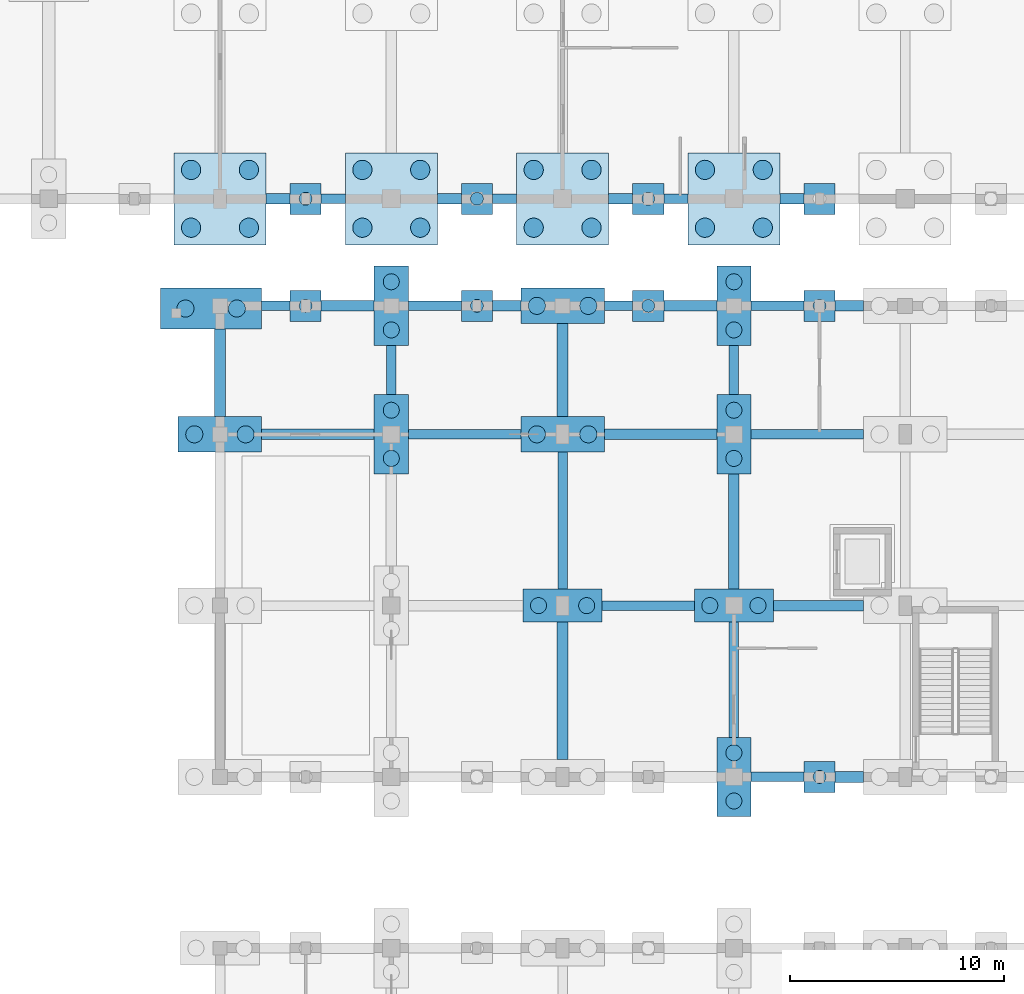
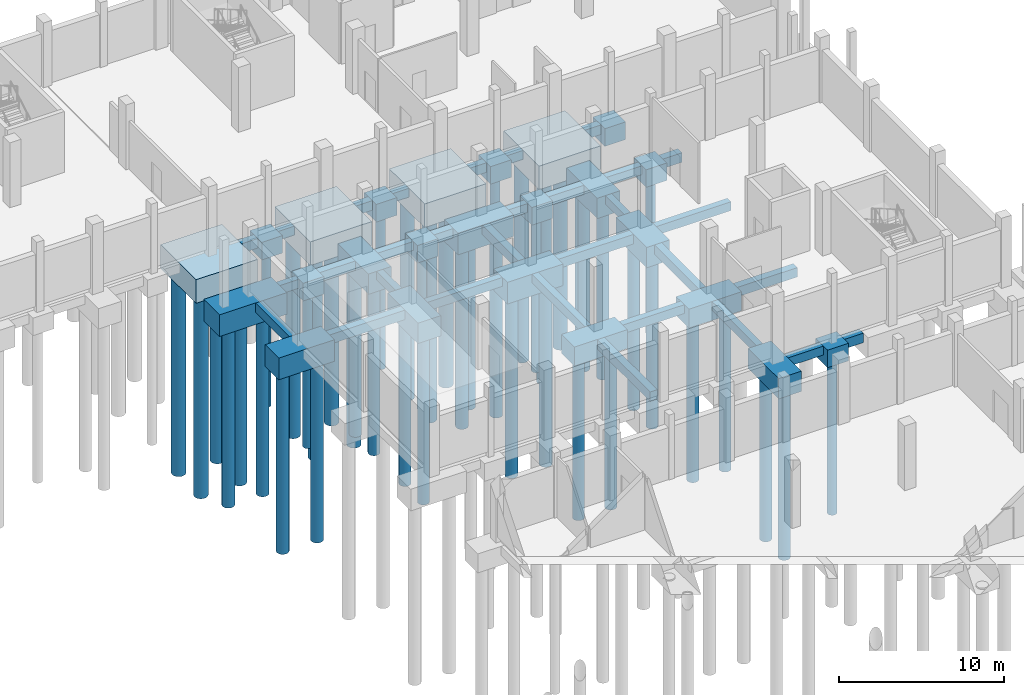
# One storey, part 12 of 52: 55 footings, 46 piles.
"""IFC4 building model written with IfcOpenShell, lengths in metres."""

from ifc_helpers import new_model, si_unit, direction, frame, origin, origin_2d, place, context, subcontext, project, spatial, polyline, rectangle, circle, outline, extrude, material, material_profile, profile_set, type_object, element, save


model = new_model("IFC4")

# Units and contexts
model_context = context("Model", 3, precision=1e-05, world=origin(), true_north=direction((0.0, 1.0)))
body_context = subcontext(model_context, "Body", "Model", "MODEL_VIEW")
ifc_project = project(units=[si_unit("LENGTHUNIT", "METRE"), si_unit("AREAUNIT", "SQUARE_METRE"), si_unit("VOLUMEUNIT", "CUBIC_METRE"), si_unit("PLANEANGLEUNIT", "RADIAN"), si_unit("MASSUNIT", "GRAM", prefix="KILO")], contexts=[model_context])

# Site, building, storey
site_placement = place(None, origin())
site = spatial("IfcSite", under=ifc_project, at=site_placement, CompositionType="ELEMENT")
building_placement = place(site_placement, origin())
building = spatial("IfcBuilding", under=site, at=building_placement, Name="Luwemba Playhouse", CompositionType="ELEMENT")
storey_placement = place(building_placement, frame((0.0, 0.0, -4.800048828125)))
storey = spatial("IfcBuildingStorey", under=building, at=storey_placement, Name="B1", CompositionType="ELEMENT", Elevation=-4.800048828125)

# Footings
ifc_material = material(Name="Concrete C32/40", Category="concrete")
ifc_material_profile_1 = material_profile(ifc_material, rectangle(XDim=0.449951171875, YDim=0.64990234375, at=origin_2d()))
ifc_profile_set_1 = profile_set([ifc_material_profile_1], Name="Concrete C32/40")
footing_type_1 = type_object("IfcFootingType", Name="FTBM-GB1", PredefinedType="FOOTING_BEAM", material=ifc_profile_set_1)
footing_1_placement = place(storey_placement, frame((156.800048828125, 68.0, -0.704833984375), z_axis=(1.0, 0.0, 0.0), x_axis=(0.0, 1.0, 0.0)))
element("IfcFooting", 1, at=footing_1_placement, inside=storey, type_object=footing_type_1, Name="Ground tie-beam 149", PredefinedType="FOOTING_BEAM", context=body_context, shape_type="SweptSolid", body=[
    extrude(rectangle(XDim=0.449951171875, YDim=0.64990234375, at=origin_2d()), origin(), (0.0, 0.0, 1.0), 2.474853515625),
])
footing_2_placement = place(storey_placement, frame((149.85009765625, 76.0, -0.704833984375), z_axis=(1.0, 0.0, 0.0), x_axis=(0.0, 1.0, 0.0)))
element("IfcFooting", 2, at=footing_2_placement, inside=storey, type_object=footing_type_1, Name="Ground tie-beam 157", PredefinedType="FOOTING_BEAM", context=body_context, shape_type="SweptSolid", body=[
    extrude(rectangle(XDim=0.449951171875, YDim=0.64990234375, at=origin_2d()), origin(), (0.0, 0.0, 1.0), 4.2998046875),
])
for number, where, z_axis, x_axis, name in (
    (3, (140.800048828125, 84.0, -0.704833984375), (1.0, 0.0, 0.0), (0.0, 1.0, 0.0), "Ground tie-beam 167"),
    (4, (156.800048828125, 84.0, -0.704833984375), (1.0, 0.0, 0.0), (0.0, 1.0, 0.0), "Ground tie-beam 169"),
):
    element("IfcFooting", number, at=place(storey_placement, frame(where, z_axis=z_axis, x_axis=x_axis)), inside=storey, type_object=footing_type_1, Name=name, PredefinedType="FOOTING_BEAM", context=body_context, shape_type="SweptSolid", body=[
        extrude(rectangle(XDim=0.449951171875, YDim=0.64990234375, at=origin_2d()), origin(), (0.0, 0.0, 1.0), 5.25),
    ])
footing_3_placement = place(storey_placement, frame((133.949951171875, 90.0, -0.704833984375), z_axis=(1.0, 0.0, 0.0), x_axis=(0.0, 1.0, 0.0)))
element("IfcFooting", 5, at=footing_3_placement, inside=storey, type_object=footing_type_1, Name="Ground tie-beam 181", PredefinedType="FOOTING_BEAM", context=body_context, shape_type="SweptSolid", body=[
    extrude(rectangle(XDim=0.449951171875, YDim=0.64990234375, at=origin_2d()), origin(), (0.0, 0.0, 1.0), 1.324951171875),
])
footing_4_placement = place(storey_placement, frame((140.800048828125, 90.0, -0.704833984375), z_axis=(1.0, 0.0, 0.0), x_axis=(0.0, 1.0, 0.0)))
element("IfcFooting", 6, at=footing_4_placement, inside=storey, type_object=footing_type_1, Name="Ground tie-beam 183", PredefinedType="FOOTING_BEAM", context=body_context, shape_type="SweptSolid", body=[
    extrude(rectangle(XDim=0.449951171875, YDim=0.64990234375, at=origin_2d()), origin(), (0.0, 0.0, 1.0), 2.474853515625),
])
footing_5_placement = place(storey_placement, frame((149.949951171875, 90.0, -0.704833984375), z_axis=(1.0, 0.0, 0.0), x_axis=(0.0, 1.0, 0.0)))
element("IfcFooting", 7, at=footing_5_placement, inside=storey, type_object=footing_type_1, Name="Ground tie-beam 185", PredefinedType="FOOTING_BEAM", context=body_context, shape_type="SweptSolid", body=[
    extrude(rectangle(XDim=0.449951171875, YDim=0.64990234375, at=origin_2d()), origin(), (0.0, 0.0, 1.0), 1.324951171875),
])
footing_6_placement = place(storey_placement, frame((156.800048828125, 90.0, -0.704833984375), z_axis=(1.0, 0.0, 0.0), x_axis=(0.0, 1.0, 0.0)))
element("IfcFooting", 8, at=footing_6_placement, inside=storey, type_object=footing_type_1, Name="Ground tie-beam 187", PredefinedType="FOOTING_BEAM", context=body_context, shape_type="SweptSolid", body=[
    extrude(rectangle(XDim=0.449951171875, YDim=0.64990234375, at=origin_2d()), origin(), (0.0, 0.0, 1.0), 2.474853515625),
])
for number, where, z_axis, x_axis, name in (
    (9, (136.72509765625, 95.0, -0.704833984375), (1.0, 0.0, 0.0), (0.0, 1.0, 0.0), "Ground tie-beam 209"),
    (10, (144.72509765625, 95.0, -0.704833984375), (1.0, 0.0, 0.0), (0.0, 1.0, 0.0), "Ground tie-beam 211"),
    (11, (152.72509765625, 95.0, -0.704833984375), (1.0, 0.0, 0.0), (0.0, 1.0, 0.0), "Ground tie-beam 213"),
):
    element("IfcFooting", number, at=place(storey_placement, frame(where, z_axis=z_axis, x_axis=x_axis)), inside=storey, type_object=footing_type_1, Name=name, PredefinedType="FOOTING_BEAM", context=body_context, shape_type="SweptSolid", body=[
        extrude(rectangle(XDim=0.449951171875, YDim=0.64990234375, at=origin_2d()), origin(), (0.0, 0.0, 1.0), 1.125),
    ])
footing_7_placement = place(storey_placement, frame((140.0, 85.85009765625, -0.704833984375), z_axis=(0.0, 1.0, 0.0), x_axis=(-1.0, 0.0, 0.0)))
element("IfcFooting", 12, at=footing_7_placement, inside=storey, type_object=footing_type_1, Name="Ground tie-beam 381", PredefinedType="FOOTING_BEAM", context=body_context, shape_type="SweptSolid", body=[
    extrude(rectangle(XDim=0.449951171875, YDim=0.64990234375, at=origin_2d()), origin(), (0.0, 0.0, 1.0), 2.2998046875),
])
footing_8_placement = place(storey_placement, frame((148.0, 76.77490234375, -0.704833984375), z_axis=(0.0, 1.0, 0.0), x_axis=(-1.0, 0.0, 0.0)))
element("IfcFooting", 13, at=footing_8_placement, inside=storey, type_object=footing_type_1, Name="Ground tie-beam 391", PredefinedType="FOOTING_BEAM", context=body_context, shape_type="SweptSolid", body=[
    extrude(rectangle(XDim=0.449951171875, YDim=0.64990234375, at=origin_2d()), origin(), (0.0, 0.0, 1.0), 6.400146484375),
])
footing_9_placement = place(storey_placement, frame((156.0, 69.85009765625, -0.704833984375), z_axis=(0.0, 1.0, 0.0), x_axis=(-1.0, 0.0, 0.0)))
element("IfcFooting", 14, at=footing_9_placement, inside=storey, type_object=footing_type_1, Name="Ground tie-beam 401", PredefinedType="FOOTING_BEAM", context=body_context, shape_type="SweptSolid", body=[
    extrude(rectangle(XDim=0.449951171875, YDim=0.64990234375, at=origin_2d()), origin(), (0.0, 0.0, 1.0), 5.375),
])
footing_10_placement = place(storey_placement, frame((156.0, 85.85009765625, -0.704833984375), z_axis=(0.0, 1.0, 0.0), x_axis=(-1.0, 0.0, 0.0)))
element("IfcFooting", 15, at=footing_10_placement, inside=storey, type_object=footing_type_1, Name="Ground tie-beam 403", PredefinedType="FOOTING_BEAM", context=body_context, shape_type="SweptSolid", body=[
    extrude(rectangle(XDim=0.449951171875, YDim=0.64990234375, at=origin_2d()), origin(), (0.0, 0.0, 1.0), 2.2998046875),
])
ifc_material_profile_2 = material_profile(ifc_material, rectangle(XDim=0.5, YDim=0.699951171875, at=origin_2d()))
ifc_profile_set_2 = profile_set([ifc_material_profile_2], Name="Concrete C32/40")
footing_type_2 = type_object("IfcFootingType", Name="FTBM-GB2", PredefinedType="FOOTING_BEAM", material=ifc_profile_set_2)
footing_11_placement = place(storey_placement, frame((160.72509765625, 68.0, -0.72998046875), z_axis=(1.0, 0.0, 0.0), x_axis=(0.0, 1.0, 0.0)))
element("IfcFooting", 16, at=footing_11_placement, inside=storey, type_object=footing_type_2, Name="Ground tie-beam 150", PredefinedType="FOOTING_BEAM", context=body_context, shape_type="SweptSolid", body=[
    extrude(rectangle(XDim=0.5, YDim=0.699951171875, at=origin_2d()), origin(), (0.0, 0.0, 1.0), 1.324951171875),
])
footing_12_placement = place(storey_placement, frame((157.85009765625, 76.0, -0.72998046875), z_axis=(1.0, 0.0, 0.0), x_axis=(0.0, 1.0, 0.0)))
element("IfcFooting", 17, at=footing_12_placement, inside=storey, type_object=footing_type_2, Name="Ground tie-beam 158", PredefinedType="FOOTING_BEAM", context=body_context, shape_type="SweptSolid", body=[
    extrude(rectangle(XDim=0.5, YDim=0.699951171875, at=origin_2d()), origin(), (0.0, 0.0, 1.0), 4.199951171875),
])
for number, where, z_axis, x_axis, name in (
    (18, (133.949951171875, 84.0, -0.72998046875), (1.0, 0.0, 0.0), (0.0, 1.0, 0.0), "Ground tie-beam 166"),
    (19, (149.949951171875, 84.0, -0.72998046875), (1.0, 0.0, 0.0), (0.0, 1.0, 0.0), "Ground tie-beam 168"),
):
    element("IfcFooting", number, at=place(storey_placement, frame(where, z_axis=z_axis, x_axis=x_axis)), inside=storey, type_object=footing_type_2, Name=name, PredefinedType="FOOTING_BEAM", context=body_context, shape_type="SweptSolid", body=[
        extrude(rectangle(XDim=0.5, YDim=0.699951171875, at=origin_2d()), origin(), (0.0, 0.0, 1.0), 5.25),
    ])
footing_13_placement = place(storey_placement, frame((136.72509765625, 90.0, -0.72998046875), z_axis=(1.0, 0.0, 0.0), x_axis=(0.0, 1.0, 0.0)))
element("IfcFooting", 20, at=footing_13_placement, inside=storey, type_object=footing_type_2, Name="Ground tie-beam 182", PredefinedType="FOOTING_BEAM", context=body_context, shape_type="SweptSolid", body=[
    extrude(rectangle(XDim=0.5, YDim=0.699951171875, at=origin_2d()), origin(), (0.0, 0.0, 1.0), 2.474853515625),
])
footing_14_placement = place(storey_placement, frame((144.72509765625, 90.0, -0.72998046875), z_axis=(1.0, 0.0, 0.0), x_axis=(0.0, 1.0, 0.0)))
element("IfcFooting", 21, at=footing_14_placement, inside=storey, type_object=footing_type_2, Name="Ground tie-beam 184", PredefinedType="FOOTING_BEAM", context=body_context, shape_type="SweptSolid", body=[
    extrude(rectangle(XDim=0.5, YDim=0.699951171875, at=origin_2d()), origin(), (0.0, 0.0, 1.0), 1.324951171875),
])
footing_15_placement = place(storey_placement, frame((152.72509765625, 90.0, -0.72998046875), z_axis=(1.0, 0.0, 0.0), x_axis=(0.0, 1.0, 0.0)))
element("IfcFooting", 22, at=footing_15_placement, inside=storey, type_object=footing_type_2, Name="Ground tie-beam 186", PredefinedType="FOOTING_BEAM", context=body_context, shape_type="SweptSolid", body=[
    extrude(rectangle(XDim=0.5, YDim=0.699951171875, at=origin_2d()), origin(), (0.0, 0.0, 1.0), 2.474853515625),
])
footing_16_placement = place(storey_placement, frame((160.72509765625, 90.0, -0.72998046875), z_axis=(1.0, 0.0, 0.0), x_axis=(0.0, 1.0, 0.0)))
element("IfcFooting", 23, at=footing_16_placement, inside=storey, type_object=footing_type_2, Name="Ground tie-beam 188", PredefinedType="FOOTING_BEAM", context=body_context, shape_type="SweptSolid", body=[
    extrude(rectangle(XDim=0.5, YDim=0.699951171875, at=origin_2d()), origin(), (0.0, 0.0, 1.0), 1.324951171875),
])
for number, where, z_axis, x_axis, name in (
    (24, (134.14990234375, 95.0, -0.72998046875), (1.0, 0.0, 0.0), (0.0, 1.0, 0.0), "Ground tie-beam 208"),
    (25, (142.14990234375, 95.0, -0.72998046875), (1.0, 0.0, 0.0), (0.0, 1.0, 0.0), "Ground tie-beam 210"),
    (26, (150.14990234375, 95.0, -0.72998046875), (1.0, 0.0, 0.0), (0.0, 1.0, 0.0), "Ground tie-beam 212"),
    (27, (158.14990234375, 95.0, -0.72998046875), (1.0, 0.0, 0.0), (0.0, 1.0, 0.0), "Ground tie-beam 214"),
):
    element("IfcFooting", number, at=place(storey_placement, frame(where, z_axis=z_axis, x_axis=x_axis)), inside=storey, type_object=footing_type_2, Name=name, PredefinedType="FOOTING_BEAM", context=body_context, shape_type="SweptSolid", body=[
        extrude(rectangle(XDim=0.5, YDim=0.699951171875, at=origin_2d()), origin(), (0.0, 0.0, 1.0), 1.125),
    ])
footing_17_placement = place(storey_placement, frame((132.0, 84.824951171875, -0.72998046875), z_axis=(0.0, 1.0, 0.0), x_axis=(-1.0, 0.0, 0.0)))
element("IfcFooting", 28, at=footing_17_placement, inside=storey, type_object=footing_type_2, Name="Ground tie-beam 370", PredefinedType="FOOTING_BEAM", context=body_context, shape_type="SweptSolid", body=[
    extrude(rectangle(XDim=0.5, YDim=0.699951171875, at=origin_2d()), origin(), (0.0, 0.0, 1.0), 4.10009765625),
])
footing_18_placement = place(storey_placement, frame((148.0, 68.824951171875, -0.72998046875), z_axis=(0.0, 1.0, 0.0), x_axis=(-1.0, 0.0, 0.0)))
element("IfcFooting", 29, at=footing_18_placement, inside=storey, type_object=footing_type_2, Name="Ground tie-beam 390", PredefinedType="FOOTING_BEAM", context=body_context, shape_type="SweptSolid", body=[
    extrude(rectangle(XDim=0.5, YDim=0.699951171875, at=origin_2d()), origin(), (0.0, 0.0, 1.0), 6.400146484375),
])
footing_19_placement = place(storey_placement, frame((148.0, 84.824951171875, -0.72998046875), z_axis=(0.0, 1.0, 0.0), x_axis=(-1.0, 0.0, 0.0)))
element("IfcFooting", 30, at=footing_19_placement, inside=storey, type_object=footing_type_2, Name="Ground tie-beam 392", PredefinedType="FOOTING_BEAM", context=body_context, shape_type="SweptSolid", body=[
    extrude(rectangle(XDim=0.5, YDim=0.699951171875, at=origin_2d()), origin(), (0.0, 0.0, 1.0), 4.35009765625),
])
footing_20_placement = place(storey_placement, frame((156.0, 76.77490234375, -0.72998046875), z_axis=(0.0, 1.0, 0.0), x_axis=(-1.0, 0.0, 0.0)))
element("IfcFooting", 31, at=footing_20_placement, inside=storey, type_object=footing_type_2, Name="Ground tie-beam 402", PredefinedType="FOOTING_BEAM", context=body_context, shape_type="SweptSolid", body=[
    extrude(rectangle(XDim=0.5, YDim=0.699951171875, at=origin_2d()), origin(), (0.0, 0.0, 1.0), 5.375),
])
footing_type_3 = type_object("IfcFootingType", Name="FTG-PC02", PredefinedType="PILE_CAP", material=ifc_material)
footing_21_placement = place(storey_placement, frame((0.0, 0.0, -1.679931640625)))
element("IfcFooting", 32, at=footing_21_placement, inside=storey, type_object=footing_type_3, Name="Pile cap 207", PredefinedType="PILE_CAP", context=body_context, shape_type="SweptSolid", body=[
    extrude(outline(polyline([(159.27490234375, 67.27490234375), (160.72509765625, 67.27490234375), (160.72509765625, 68.72509765625), (159.27490234375, 68.72509765625), (159.27490234375, 67.27490234375)])), origin(), (0.0, 0.0, 1.0), 1.300048828125),
])
footing_22_placement = place(storey_placement, frame((0.0, 0.0, -1.679931640625)))
element("IfcFooting", 33, at=footing_22_placement, inside=storey, type_object=footing_type_3, Name="Pile cap 251", PredefinedType="PILE_CAP", context=body_context, shape_type="SweptSolid", body=[
    extrude(outline(polyline([(135.27490234375, 89.27490234375), (136.72509765625, 89.27490234375), (136.72509765625, 90.72509765625), (135.27490234375, 90.72509765625), (135.27490234375, 89.27490234375)])), origin(), (0.0, 0.0, 1.0), 1.300048828125),
])
footing_23_placement = place(storey_placement, frame((0.0, 0.0, -1.679931640625)))
element("IfcFooting", 34, at=footing_23_placement, inside=storey, type_object=footing_type_3, Name="Pile cap 252", PredefinedType="PILE_CAP", context=body_context, shape_type="SweptSolid", body=[
    extrude(outline(polyline([(143.27490234375, 89.27490234375), (144.72509765625, 89.27490234375), (144.72509765625, 90.72509765625), (143.27490234375, 90.72509765625), (143.27490234375, 89.27490234375)])), origin(), (0.0, 0.0, 1.0), 1.300048828125),
])
footing_24_placement = place(storey_placement, frame((0.0, 0.0, -1.679931640625)))
element("IfcFooting", 35, at=footing_24_placement, inside=storey, type_object=footing_type_3, Name="Pile cap 253", PredefinedType="PILE_CAP", context=body_context, shape_type="SweptSolid", body=[
    extrude(outline(polyline([(151.27490234375, 89.27490234375), (152.72509765625, 89.27490234375), (152.72509765625, 90.72509765625), (151.27490234375, 90.72509765625), (151.27490234375, 89.27490234375)])), origin(), (0.0, 0.0, 1.0), 1.300048828125),
])
footing_25_placement = place(storey_placement, frame((0.0, 0.0, -1.679931640625)))
element("IfcFooting", 36, at=footing_25_placement, inside=storey, type_object=footing_type_3, Name="Pile cap 254", PredefinedType="PILE_CAP", context=body_context, shape_type="SweptSolid", body=[
    extrude(outline(polyline([(159.27490234375, 89.27490234375), (160.72509765625, 89.27490234375), (160.72509765625, 90.72509765625), (159.27490234375, 90.72509765625), (159.27490234375, 89.27490234375)])), origin(), (0.0, 0.0, 1.0), 1.300048828125),
])
footing_26_placement = place(storey_placement, frame((0.0, 0.0, -1.679931640625)))
element("IfcFooting", 37, at=footing_26_placement, inside=storey, type_object=footing_type_3, Name="Pile cap 281", PredefinedType="PILE_CAP", context=body_context, shape_type="SweptSolid", body=[
    extrude(outline(polyline([(135.27490234375, 94.27490234375), (136.72509765625, 94.27490234375), (136.72509765625, 95.72509765625), (135.27490234375, 95.72509765625), (135.27490234375, 94.27490234375)])), origin(), (0.0, 0.0, 1.0), 1.300048828125),
])
footing_27_placement = place(storey_placement, frame((0.0, 0.0, -1.679931640625)))
element("IfcFooting", 38, at=footing_27_placement, inside=storey, type_object=footing_type_3, Name="Pile cap 282", PredefinedType="PILE_CAP", context=body_context, shape_type="SweptSolid", body=[
    extrude(outline(polyline([(143.27490234375, 94.27490234375), (144.72509765625, 94.27490234375), (144.72509765625, 95.72509765625), (143.27490234375, 95.72509765625), (143.27490234375, 94.27490234375)])), origin(), (0.0, 0.0, 1.0), 1.300048828125),
])
footing_28_placement = place(storey_placement, frame((0.0, 0.0, -1.679931640625)))
element("IfcFooting", 39, at=footing_28_placement, inside=storey, type_object=footing_type_3, Name="Pile cap 283", PredefinedType="PILE_CAP", context=body_context, shape_type="SweptSolid", body=[
    extrude(outline(polyline([(151.27490234375, 94.27490234375), (152.72509765625, 94.27490234375), (152.72509765625, 95.72509765625), (151.27490234375, 95.72509765625), (151.27490234375, 94.27490234375)])), origin(), (0.0, 0.0, 1.0), 1.300048828125),
])
footing_29_placement = place(storey_placement, frame((0.0, 0.0, -1.679931640625)))
element("IfcFooting", 40, at=footing_29_placement, inside=storey, type_object=footing_type_3, Name="Pile cap 284", PredefinedType="PILE_CAP", context=body_context, shape_type="SweptSolid", body=[
    extrude(outline(polyline([(159.27490234375, 94.27490234375), (160.72509765625, 94.27490234375), (160.72509765625, 95.72509765625), (159.27490234375, 95.72509765625), (159.27490234375, 94.27490234375)])), origin(), (0.0, 0.0, 1.0), 1.300048828125),
])
footing_type_4 = type_object("IfcFootingType", Name="FTG-PC03", PredefinedType="PILE_CAP", material=ifc_material)
footing_30_placement = place(storey_placement, frame((0.0, 0.0, -1.8798828125)))
element("IfcFooting", 41, at=footing_30_placement, inside=storey, type_object=footing_type_4, Name="Pile cap 197", PredefinedType="PILE_CAP", context=body_context, shape_type="SweptSolid", body=[
    extrude(outline(polyline([(155.199951171875, 66.14990234375), (156.800048828125, 66.14990234375), (156.800048828125, 69.85009765625), (155.199951171875, 69.85009765625), (155.199951171875, 66.14990234375)])), origin(), (0.0, 0.0, 1.0), 1.5),
])
footing_31_placement = place(storey_placement, frame((0.0, 0.0, -1.8798828125)))
element("IfcFooting", 42, at=footing_31_placement, inside=storey, type_object=footing_type_4, Name="Pile cap 225", PredefinedType="PILE_CAP", context=body_context, shape_type="SweptSolid", body=[
    extrude(outline(polyline([(139.199951171875, 82.14990234375), (140.800048828125, 82.14990234375), (140.800048828125, 85.85009765625), (139.199951171875, 85.85009765625), (139.199951171875, 82.14990234375)])), origin(), (0.0, 0.0, 1.0), 1.5),
])
footing_32_placement = place(storey_placement, frame((0.0, 0.0, -1.8798828125)))
element("IfcFooting", 43, at=footing_32_placement, inside=storey, type_object=footing_type_4, Name="Pile cap 226", PredefinedType="PILE_CAP", context=body_context, shape_type="SweptSolid", body=[
    extrude(outline(polyline([(155.199951171875, 82.14990234375), (156.800048828125, 82.14990234375), (156.800048828125, 85.85009765625), (155.199951171875, 85.85009765625), (155.199951171875, 82.14990234375)])), origin(), (0.0, 0.0, 1.0), 1.5),
])
footing_33_placement = place(storey_placement, frame((0.0, 0.0, -1.8798828125)))
element("IfcFooting", 44, at=footing_33_placement, inside=storey, type_object=footing_type_4, Name="Pile cap 238", PredefinedType="PILE_CAP", context=body_context, shape_type="SweptSolid", body=[
    extrude(outline(polyline([(139.199951171875, 88.14990234375), (140.800048828125, 88.14990234375), (140.800048828125, 91.85009765625), (139.199951171875, 91.85009765625), (139.199951171875, 88.14990234375)])), origin(), (0.0, 0.0, 1.0), 1.5),
])
footing_34_placement = place(storey_placement, frame((0.0, 0.0, -1.8798828125)))
element("IfcFooting", 45, at=footing_34_placement, inside=storey, type_object=footing_type_4, Name="Pile cap 239", PredefinedType="PILE_CAP", context=body_context, shape_type="SweptSolid", body=[
    extrude(outline(polyline([(155.199951171875, 88.14990234375), (156.800048828125, 88.14990234375), (156.800048828125, 91.85009765625), (155.199951171875, 91.85009765625), (155.199951171875, 88.14990234375)])), origin(), (0.0, 0.0, 1.0), 1.5),
])
footing_type_5 = type_object("IfcFootingType", Name="FTG-PC04", PredefinedType="PILE_CAP", material=ifc_material)
footing_35_placement = place(storey_placement, frame((0.0, 0.0, -1.97998046875)))
element("IfcFooting", 46, at=footing_35_placement, inside=storey, type_object=footing_type_5, Name="Pile cap 230", PredefinedType="PILE_CAP", context=body_context, shape_type="SweptSolid", body=[
    extrude(outline(polyline([(130.050048828125, 83.175048828125), (133.949951171875, 83.175048828125), (133.949951171875, 84.824951171875), (130.050048828125, 84.824951171875), (130.050048828125, 83.175048828125)])), origin(), (0.0, 0.0, 1.0), 1.60009765625),
])
footing_36_placement = place(storey_placement, frame((0.0, 0.0, -1.97998046875)))
element("IfcFooting", 47, at=footing_36_placement, inside=storey, type_object=footing_type_5, Name="Pile cap 231", PredefinedType="PILE_CAP", context=body_context, shape_type="SweptSolid", body=[
    extrude(outline(polyline([(146.050048828125, 83.175048828125), (149.949951171875, 83.175048828125), (149.949951171875, 84.824951171875), (146.050048828125, 84.824951171875), (146.050048828125, 83.175048828125)])), origin(), (0.0, 0.0, 1.0), 1.60009765625),
])
footing_37_placement = place(storey_placement, frame((0.0, 0.0, -1.97998046875)))
element("IfcFooting", 48, at=footing_37_placement, inside=storey, type_object=footing_type_5, Name="Pile cap 245", PredefinedType="PILE_CAP", context=body_context, shape_type="SweptSolid", body=[
    extrude(outline(polyline([(146.050048828125, 89.175048828125), (149.949951171875, 89.175048828125), (149.949951171875, 90.824951171875), (146.050048828125, 90.824951171875), (146.050048828125, 89.175048828125)])), origin(), (0.0, 0.0, 1.0), 1.60009765625),
])
footing_type_6 = type_object("IfcFootingType", Name="FTG-PC05", PredefinedType="PILE_CAP", material=ifc_material)
footing_38_placement = place(storey_placement, frame((0.0, 0.0, -1.780029296875)))
element("IfcFooting", 49, at=footing_38_placement, inside=storey, type_object=footing_type_6, Name="Pile cap 218", PredefinedType="PILE_CAP", context=body_context, shape_type="SweptSolid", body=[
    extrude(outline(polyline([(146.14990234375, 75.22509765625), (149.85009765625, 75.22509765625), (149.85009765625, 76.77490234375), (146.14990234375, 76.77490234375), (146.14990234375, 75.22509765625)])), origin(), (0.0, 0.0, 1.0), 1.400146484375),
])
footing_39_placement = place(storey_placement, frame((0.0, 0.0, -1.780029296875)))
element("IfcFooting", 50, at=footing_39_placement, inside=storey, type_object=footing_type_6, Name="Pile cap 219", PredefinedType="PILE_CAP", context=body_context, shape_type="SweptSolid", body=[
    extrude(outline(polyline([(154.14990234375, 75.22509765625), (157.85009765625, 75.22509765625), (157.85009765625, 76.77490234375), (154.14990234375, 76.77490234375), (154.14990234375, 75.22509765625)])), origin(), (0.0, 0.0, 1.0), 1.400146484375),
])
footing_type_7 = type_object("IfcFootingType", Name="FTG-PC21", PredefinedType="PILE_CAP", material=ifc_material)
footing_40_placement = place(storey_placement, frame((0.0, 0.0, -2.1298828125)))
element("IfcFooting", 51, at=footing_40_placement, inside=storey, type_object=footing_type_7, Name="Pile cap 258", PredefinedType="PILE_CAP", context=body_context, shape_type="SweptSolid", body=[
    extrude(outline(polyline([(129.85009765625, 92.85009765625), (134.14990234375, 92.85009765625), (134.14990234375, 97.14990234375), (129.85009765625, 97.14990234375), (129.85009765625, 92.85009765625)])), origin(), (0.0, 0.0, 1.0), 1.75),
])
footing_41_placement = place(storey_placement, frame((0.0, 0.0, -2.1298828125)))
element("IfcFooting", 52, at=footing_41_placement, inside=storey, type_object=footing_type_7, Name="Pile cap 259", PredefinedType="PILE_CAP", context=body_context, shape_type="SweptSolid", body=[
    extrude(outline(polyline([(137.85009765625, 92.85009765625), (142.14990234375, 92.85009765625), (142.14990234375, 97.14990234375), (137.85009765625, 97.14990234375), (137.85009765625, 92.85009765625)])), origin(), (0.0, 0.0, 1.0), 1.75),
])
footing_42_placement = place(storey_placement, frame((0.0, 0.0, -2.1298828125)))
element("IfcFooting", 53, at=footing_42_placement, inside=storey, type_object=footing_type_7, Name="Pile cap 260", PredefinedType="PILE_CAP", context=body_context, shape_type="SweptSolid", body=[
    extrude(outline(polyline([(145.85009765625, 92.85009765625), (150.14990234375, 92.85009765625), (150.14990234375, 97.14990234375), (145.85009765625, 97.14990234375), (145.85009765625, 92.85009765625)])), origin(), (0.0, 0.0, 1.0), 1.75),
])
footing_43_placement = place(storey_placement, frame((0.0, 0.0, -2.1298828125)))
element("IfcFooting", 54, at=footing_43_placement, inside=storey, type_object=footing_type_7, Name="Pile cap 261", PredefinedType="PILE_CAP", context=body_context, shape_type="SweptSolid", body=[
    extrude(outline(polyline([(153.85009765625, 92.85009765625), (158.14990234375, 92.85009765625), (158.14990234375, 97.14990234375), (153.85009765625, 97.14990234375), (153.85009765625, 92.85009765625)])), origin(), (0.0, 0.0, 1.0), 1.75),
])
footing_type_8 = type_object("IfcFootingType", Name="FTG-PC23", PredefinedType="PILE_CAP", material=ifc_material)
footing_44_placement = place(storey_placement, frame((0.0, 0.0, -1.97998046875)))
element("IfcFooting", 55, at=footing_44_placement, inside=storey, type_object=footing_type_8, Name="Pile cap 243", PredefinedType="PILE_CAP", context=body_context, shape_type="SweptSolid", body=[
    extrude(outline(polyline([(129.22509765625, 88.925048828125), (133.949951171875, 88.925048828125), (133.949951171875, 90.824951171875), (129.22509765625, 90.824951171875), (129.22509765625, 88.925048828125)])), origin(), (0.0, 0.0, 1.0), 1.60009765625),
])

# Piles
ifc_material_profile_3 = material_profile(ifc_material, circle(Radius=0.300048828125, at=origin_2d()))
ifc_profile_set_3 = profile_set([ifc_material_profile_3], Name="Concrete C32/40")
pile_type_1 = type_object("IfcPileType", Name="PILE-BP1", PredefinedType="BORED", material=ifc_profile_set_3)
for number, where, z_axis, x_axis, name in (
    (56, (160.0, 68.0, -1.579833984375), (0.0, 0.0, -1.0), (1.0, 0.0, 0.0), "Bored pile 348"),
    (57, (136.0, 90.0, -1.579833984375), (0.0, 0.0, -1.0), (1.0, 0.0, 0.0), "Bored pile 452"),
    (58, (144.0, 90.0, -1.579833984375), (0.0, 0.0, -1.0), (1.0, 0.0, 0.0), "Bored pile 453"),
    (59, (152.0, 90.0, -1.579833984375), (0.0, 0.0, -1.0), (1.0, 0.0, 0.0), "Bored pile 454"),
    (60, (160.0, 90.0, -1.579833984375), (0.0, 0.0, -1.0), (1.0, 0.0, 0.0), "Bored pile 455"),
    (61, (136.0, 95.0, -1.579833984375), (0.0, 0.0, -1.0), (1.0, 0.0, 0.0), "Bored pile 513"),
    (62, (144.0, 95.0, -1.579833984375), (0.0, 0.0, -1.0), (1.0, 0.0, 0.0), "Bored pile 514"),
    (63, (152.0, 95.0, -1.579833984375), (0.0, 0.0, -1.0), (1.0, 0.0, 0.0), "Bored pile 515"),
):
    element("IfcPile", number, at=place(storey_placement, frame(where, z_axis=z_axis, x_axis=x_axis)), inside=storey, type_object=pile_type_1, Name=name, PredefinedType="BORED", context=body_context, shape_type="SweptSolid", body=[
        extrude(circle(Radius=0.300048828125, at=origin_2d()), origin(), (0.0, 0.0, 1.0), 11.5),
    ])
ifc_material_profile_4 = material_profile(ifc_material, circle(Radius=0.375, at=origin_2d()))
ifc_profile_set_4 = profile_set([ifc_material_profile_4], Name="Concrete C32/40")
pile_type_2 = type_object("IfcPileType", Name="PILE-BP2", PredefinedType="BORED", material=ifc_profile_set_4)
for number, where, z_axis, x_axis, name in (
    (64, (156.0, 66.875, -1.780029296875), (0.0, 0.0, -1.0), (1.0, 0.0, 0.0), "Bored pile 331"),
    (65, (156.0, 69.125, -1.780029296875), (0.0, 0.0, -1.0), (1.0, 0.0, 0.0), "Bored pile 332"),
):
    element("IfcPile", number, at=place(storey_placement, frame(where, z_axis=z_axis, x_axis=x_axis)), inside=storey, type_object=pile_type_2, Name=name, PredefinedType="BORED", context=body_context, shape_type="SweptSolid", body=[
        extrude(circle(Radius=0.375, at=origin_2d()), origin(), (0.0, 0.0, 1.0), 12.5),
    ])
for number, where, z_axis, x_axis, name in (
    (66, (146.875, 76.0, -1.679931640625), (0.0, 0.0, -1.0), (1.0, 0.0, 0.0), "Bored pile 371"),
    (67, (149.125, 76.0, -1.679931640625), (0.0, 0.0, -1.0), (1.0, 0.0, 0.0), "Bored pile 372"),
    (68, (154.875, 76.0, -1.679931640625), (0.0, 0.0, -1.0), (1.0, 0.0, 0.0), "Bored pile 373"),
    (69, (157.125, 76.0, -1.679931640625), (0.0, 0.0, -1.0), (1.0, 0.0, 0.0), "Bored pile 374"),
):
    element("IfcPile", number, at=place(storey_placement, frame(where, z_axis=z_axis, x_axis=x_axis)), inside=storey, type_object=pile_type_2, Name=name, PredefinedType="BORED", context=body_context, shape_type="SweptSolid", body=[
        extrude(circle(Radius=0.375, at=origin_2d()), origin(), (0.0, 0.0, 1.0), 12.0),
    ])
for number, where, z_axis, x_axis, name in (
    (70, (140.0, 82.875, -1.780029296875), (0.0, 0.0, -1.0), (1.0, 0.0, 0.0), "Bored pile 395"),
    (71, (140.0, 85.125, -1.780029296875), (0.0, 0.0, -1.0), (1.0, 0.0, 0.0), "Bored pile 396"),
    (72, (156.0, 82.875, -1.780029296875), (0.0, 0.0, -1.0), (1.0, 0.0, 0.0), "Bored pile 397"),
    (73, (156.0, 85.125, -1.780029296875), (0.0, 0.0, -1.0), (1.0, 0.0, 0.0), "Bored pile 398"),
    (74, (140.0, 88.875, -1.780029296875), (0.0, 0.0, -1.0), (1.0, 0.0, 0.0), "Bored pile 431"),
    (75, (140.0, 91.125, -1.780029296875), (0.0, 0.0, -1.0), (1.0, 0.0, 0.0), "Bored pile 432"),
    (76, (156.0, 88.875, -1.780029296875), (0.0, 0.0, -1.0), (1.0, 0.0, 0.0), "Bored pile 433"),
    (77, (156.0, 91.125, -1.780029296875), (0.0, 0.0, -1.0), (1.0, 0.0, 0.0), "Bored pile 434"),
):
    element("IfcPile", number, at=place(storey_placement, frame(where, z_axis=z_axis, x_axis=x_axis)), inside=storey, type_object=pile_type_2, Name=name, PredefinedType="BORED", context=body_context, shape_type="SweptSolid", body=[
        extrude(circle(Radius=0.375, at=origin_2d()), origin(), (0.0, 0.0, 1.0), 12.5),
    ])
ifc_material_profile_5 = material_profile(ifc_material, circle(Radius=0.39990234375, at=origin_2d()))
ifc_profile_set_5 = profile_set([ifc_material_profile_5], Name="Concrete C32/40")
pile_type_3 = type_object("IfcPileType", Name="PILE-BP3", PredefinedType="BORED", material=ifc_profile_set_5)
for number, where, z_axis, x_axis, name in (
    (78, (130.800048828125, 84.0, -1.8798828125), (0.0, 0.0, -1.0), (1.0, 0.0, 0.0), "Bored pile 405"),
    (79, (133.199951171875, 84.0, -1.8798828125), (0.0, 0.0, -1.0), (1.0, 0.0, 0.0), "Bored pile 406"),
    (80, (146.800048828125, 84.0, -1.8798828125), (0.0, 0.0, -1.0), (1.0, 0.0, 0.0), "Bored pile 407"),
    (81, (149.199951171875, 84.0, -1.8798828125), (0.0, 0.0, -1.0), (1.0, 0.0, 0.0), "Bored pile 408"),
    (82, (130.387451171875, 89.875, -1.8798828125), (0.0, 0.0, -1.0), (1.0, 0.0, 0.0), "Bored pile 441"),
    (83, (132.78759765625, 89.875, -1.8798828125), (0.0, 0.0, -1.0), (1.0, 0.0, 0.0), "Bored pile 442"),
    (84, (146.800048828125, 90.0, -1.8798828125), (0.0, 0.0, -1.0), (1.0, 0.0, 0.0), "Bored pile 444"),
    (85, (149.199951171875, 90.0, -1.8798828125), (0.0, 0.0, -1.0), (1.0, 0.0, 0.0), "Bored pile 445"),
):
    element("IfcPile", number, at=place(storey_placement, frame(where, z_axis=z_axis, x_axis=x_axis)), inside=storey, type_object=pile_type_3, Name=name, PredefinedType="BORED", context=body_context, shape_type="SweptSolid", body=[
        extrude(circle(Radius=0.39990234375, at=origin_2d()), origin(), (0.0, 0.0, 1.0), 13.5),
    ])
ifc_material_profile_6 = material_profile(ifc_material, circle(Radius=0.449951171875, at=origin_2d()))
ifc_profile_set_6 = profile_set([ifc_material_profile_6], Name="Concrete C32/40")
pile_type_4 = type_object("IfcPileType", Name="PILE-BP4", PredefinedType="BORED", material=ifc_profile_set_6)
for number, where, z_axis, x_axis, name in (
    (86, (130.64990234375, 93.64990234375, -2.030029296875), (0.0, 0.0, -1.0), (1.0, 0.0, 0.0), "Bored pile 462"),
    (87, (130.64990234375, 96.35009765625, -2.030029296875), (0.0, 0.0, -1.0), (1.0, 0.0, 0.0), "Bored pile 463"),
    (88, (133.35009765625, 93.64990234375, -2.030029296875), (0.0, 0.0, -1.0), (1.0, 0.0, 0.0), "Bored pile 464"),
    (89, (133.35009765625, 96.35009765625, -2.030029296875), (0.0, 0.0, -1.0), (1.0, 0.0, 0.0), "Bored pile 465"),
    (90, (138.64990234375, 93.64990234375, -2.030029296875), (0.0, 0.0, -1.0), (1.0, 0.0, 0.0), "Bored pile 466"),
    (91, (138.64990234375, 96.35009765625, -2.030029296875), (0.0, 0.0, -1.0), (1.0, 0.0, 0.0), "Bored pile 467"),
    (92, (141.35009765625, 93.64990234375, -2.030029296875), (0.0, 0.0, -1.0), (1.0, 0.0, 0.0), "Bored pile 468"),
    (93, (141.35009765625, 96.35009765625, -2.030029296875), (0.0, 0.0, -1.0), (1.0, 0.0, 0.0), "Bored pile 469"),
    (94, (146.64990234375, 93.64990234375, -2.030029296875), (0.0, 0.0, -1.0), (1.0, 0.0, 0.0), "Bored pile 470"),
    (95, (146.64990234375, 96.35009765625, -2.030029296875), (0.0, 0.0, -1.0), (1.0, 0.0, 0.0), "Bored pile 471"),
    (96, (149.35009765625, 93.64990234375, -2.030029296875), (0.0, 0.0, -1.0), (1.0, 0.0, 0.0), "Bored pile 472"),
    (97, (149.35009765625, 96.35009765625, -2.030029296875), (0.0, 0.0, -1.0), (1.0, 0.0, 0.0), "Bored pile 473"),
    (98, (154.64990234375, 93.64990234375, -2.030029296875), (0.0, 0.0, -1.0), (1.0, 0.0, 0.0), "Bored pile 474"),
    (99, (154.64990234375, 96.35009765625, -2.030029296875), (0.0, 0.0, -1.0), (1.0, 0.0, 0.0), "Bored pile 475"),
    (100, (157.35009765625, 93.64990234375, -2.030029296875), (0.0, 0.0, -1.0), (1.0, 0.0, 0.0), "Bored pile 476"),
    (101, (157.35009765625, 96.35009765625, -2.030029296875), (0.0, 0.0, -1.0), (1.0, 0.0, 0.0), "Bored pile 477"),
):
    element("IfcPile", number, at=place(storey_placement, frame(where, z_axis=z_axis, x_axis=x_axis)), inside=storey, type_object=pile_type_4, Name=name, PredefinedType="BORED", context=body_context, shape_type="SweptSolid", body=[
        extrude(circle(Radius=0.449951171875, at=origin_2d()), origin(), (0.0, 0.0, 1.0), 15.0),
    ])

save(model, "model.ifc")
